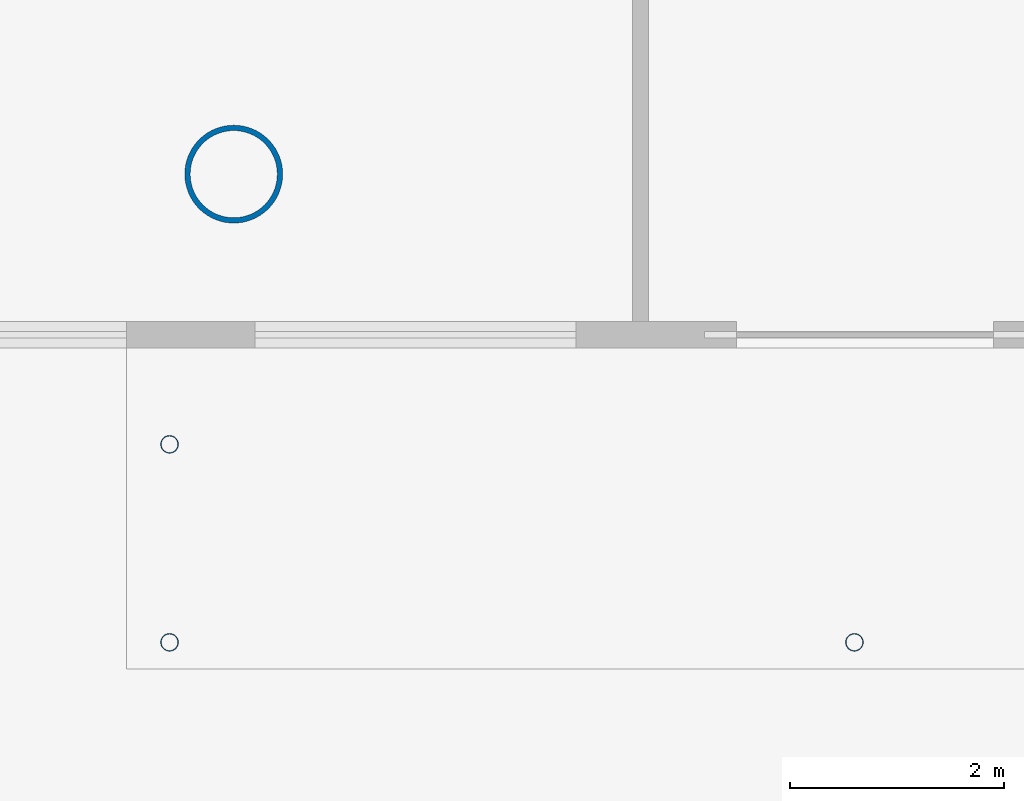
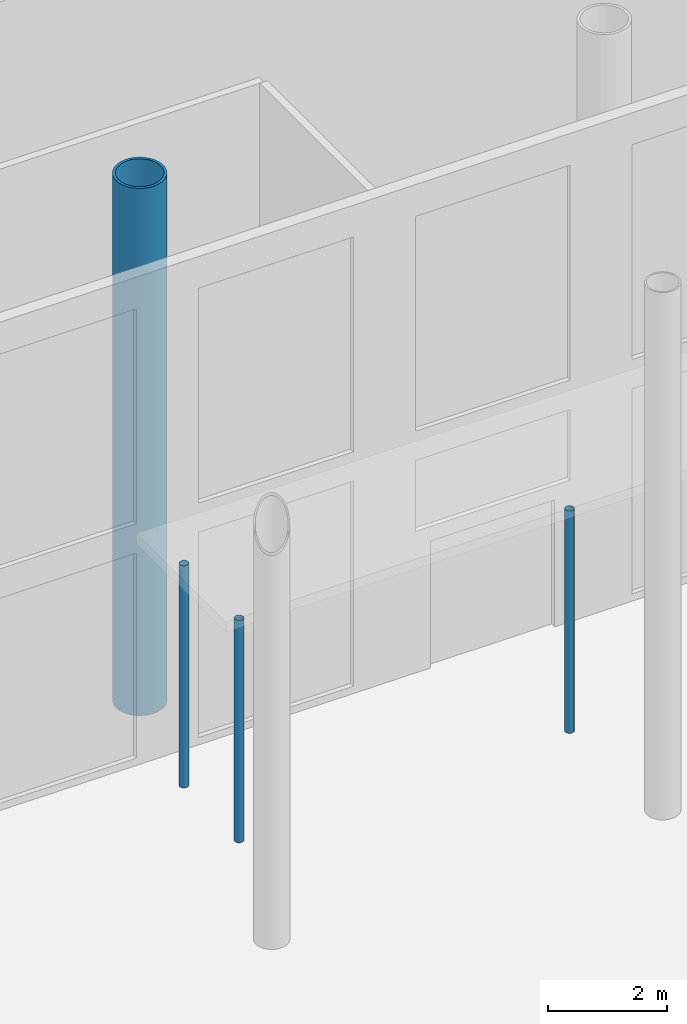
# One storey, part 2 of 18: 4 columns.
"""IFC4 building model written with IfcOpenShell, lengths in metres."""

from ifc_helpers import new_model, si_unit, direction, frame, origin, origin_2d, place, context, subcontext, project, spatial, hollow_circle, extrude, material, material_profile, profile_set, type_object, element, save


model = new_model("IFC4")

# Units and contexts
model_context = context("Model", 3, precision=1e-05, world=origin(), true_north=direction((0.0, 1.0)))
body_context = subcontext(model_context, "Body", "Model", "MODEL_VIEW")
ifc_project = project(units=[si_unit("LENGTHUNIT", "METRE"), si_unit("AREAUNIT", "SQUARE_METRE"), si_unit("VOLUMEUNIT", "CUBIC_METRE"), si_unit("PLANEANGLEUNIT", "RADIAN"), si_unit("MASSUNIT", "GRAM", prefix="KILO")], contexts=[model_context])

# Site, building, storey
site_placement = place(None, origin())
site = spatial("IfcSite", under=ifc_project, at=site_placement, CompositionType="ELEMENT")
building_placement = place(site_placement, origin())
building = spatial("IfcBuilding", under=site, at=building_placement, Name="Tskaro Facet Tower", CompositionType="ELEMENT")
storey_placement = place(building_placement, origin())
storey = spatial("IfcBuildingStorey", under=building, at=storey_placement, Name="L00", CompositionType="ELEMENT", Elevation=0.0)

# Columns
ifc_material_1 = material(Name="Steel S355J2H", Category="steel")
ifc_material_profile_1 = material_profile(ifc_material_1, hollow_circle(Radius=0.457275390625, WallThickness=0.050048828125, at=origin_2d()), Name="CHS 914.4x50")
ifc_profile_set_1 = profile_set([ifc_material_profile_1], Name="Steel S355J2H")
column_type_1 = type_object("IfcColumnType", Name="CHS 914.4x50 interior column", PredefinedType="COLUMN", material=ifc_profile_set_1)
column_placement = place(storey_placement, frame((-9.0, -18.0, 0.0), z_axis=(0.0, 0.0, 1.0), x_axis=(1.0, 0.0, 0.0)))
element("IfcColumn", 1, at=column_placement, inside=storey, type_object=column_type_1, Name="CHS 914.4x50 C3B/1", PredefinedType="COLUMN", context=body_context, shape_type="SweptSolid", body=[
    extrude(hollow_circle(Radius=0.457275390625, WallThickness=0.050048828125, at=origin_2d()), origin(), (0.0, 0.0, 1.0), 10.800048828125),
])
ifc_material_2 = material(Name="Steel S355", Category="steel")
ifc_material_profile_2 = material_profile(ifc_material_2, hollow_circle(Radius=0.084228515625, WallThickness=0.008056640625, at=origin_2d()), Name="CHS 168.3x8")
ifc_profile_set_2 = profile_set([ifc_material_profile_2], Name="Steel S355")
column_type_2 = type_object("IfcColumnType", Name="Canopy post CHS 168.3x8", PredefinedType="COLUMN", material=ifc_profile_set_2)
for number, where, z_axis, x_axis, name in (
    (2, (-9.60009765625, -22.375, 0.0), (0.0, 0.0, 1.0), (1.0, 0.0, 0.0), "Canopy post 1"),
    (3, (-3.199951171875, -22.375, 0.0), (0.0, 0.0, 1.0), (1.0, 0.0, 0.0), "Canopy post 2"),
    (4, (-9.60009765625, -20.52490234375, 0.0), (0.0, 0.0, 1.0), (1.0, 0.0, 0.0), "Canopy post 5"),
):
    element("IfcColumn", number, at=place(storey_placement, frame(where, z_axis=z_axis, x_axis=x_axis)), inside=storey, type_object=column_type_2, Name=name, PredefinedType="COLUMN", context=body_context, shape_type="SweptSolid", body=[
        extrude(hollow_circle(Radius=0.084228515625, WallThickness=0.008056640625, at=origin_2d()), origin(), (0.0, 0.0, 1.0), 4.550048828125),
    ])

save(model, "model.ifc")
